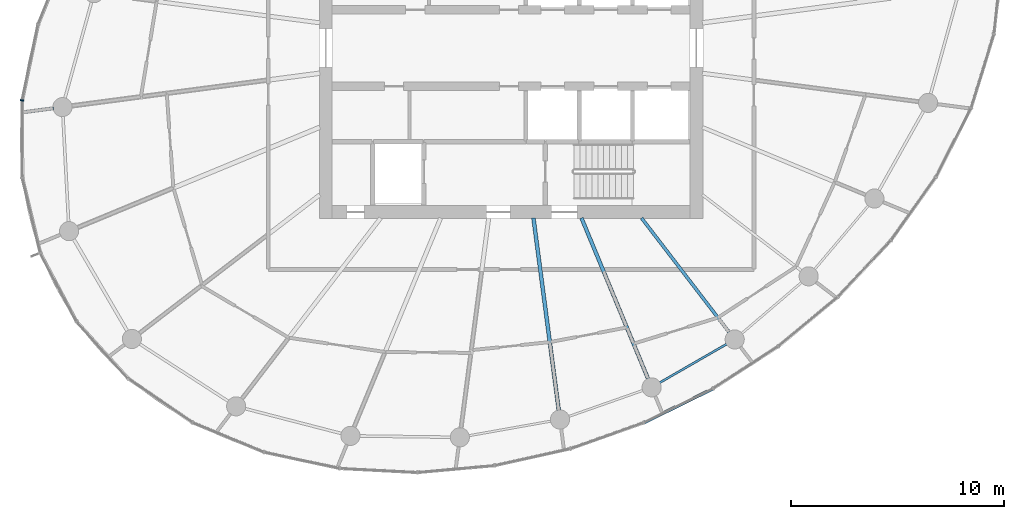
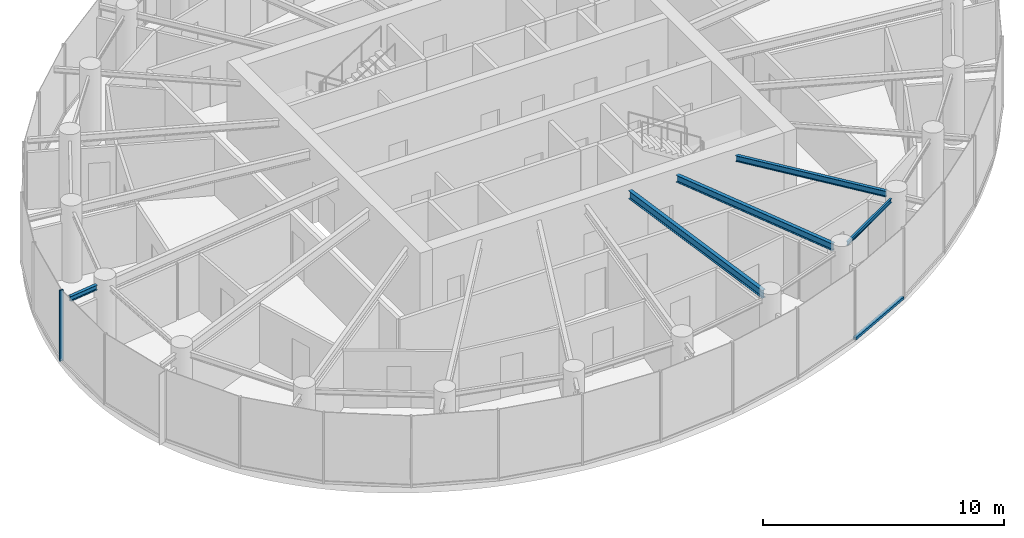
# One storey, part 3 of 13: 5 beams, 2 members, 2 elements without a shape of their own.
"""IFC4 building model written with IfcOpenShell, lengths in metres."""

from ifc_helpers import new_model, si_unit, direction, frame, origin, origin_2d, place, context, subcontext, project, spatial, rectangle, i_section, extrude, source, transform, mapped, material, layer, layer_set, material_profile, profile_set, type_object, element, aggregate, save


model = new_model("IFC4")

# Units and contexts
model_context = context("Model", 3, precision=1e-05, world=origin(), true_north=direction((0.0, 1.0)))
body_context = subcontext(model_context, "Body", "Model", "MODEL_VIEW")
ifc_project = project(units=[si_unit("LENGTHUNIT", "METRE"), si_unit("AREAUNIT", "SQUARE_METRE"), si_unit("VOLUMEUNIT", "CUBIC_METRE"), si_unit("PLANEANGLEUNIT", "RADIAN"), si_unit("MASSUNIT", "GRAM", prefix="KILO")], contexts=[model_context])

# Site, building, storey
site_placement = place(None, origin())
site = spatial("IfcSite", under=ifc_project, at=site_placement, CompositionType="ELEMENT")
building_placement = place(site_placement, origin())
building = spatial("IfcBuilding", under=site, at=building_placement, Name="Spindrift Exchange Tower", CompositionType="ELEMENT")
storey_placement = place(building_placement, frame((0.0, 0.0, 222.800048828125)))
storey = spatial("IfcBuildingStorey", under=building, at=storey_placement, Name="L54", CompositionType="ELEMENT", Elevation=222.800048828125)

# Beams
ifc_material_1 = material(Name="Steel Grade 300", Category="steel")
ifc_material_profile_1 = material_profile(ifc_material_1, i_section(OverallWidth=0.177978515625, OverallDepth=0.403076171875, WebThickness=0.007568359375, FlangeThickness=0.010986328125, FilletRadius=0.013916015625, at=origin_2d()), Name="410UB53.7")
ifc_profile_set_1 = profile_set([ifc_material_profile_1], Name="Steel Grade 300")
beam_type_1 = type_object("IfcBeamType", Name="Floor Beam 410UB53.7 Steel Grade 300", PredefinedType="BEAM", material=ifc_profile_set_1)
shared_shape_1 = source(origin(), body_context, "Body", "SweptSolid", [
    extrude(i_section(OverallWidth=0.177978515625, OverallDepth=0.403076171875, WebThickness=0.007568359375, FlangeThickness=0.010986328125, FilletRadius=0.013916015625, at=origin_2d()), origin(), (0.0, 0.0, 1.0), 9.11376953125),
])
beam_1_placement = place(storey_placement, frame((53.050537109375, 40.019775390625, 3.37841796875), z_axis=(0.130536972606, -0.991443442049, 0.0), x_axis=(0.991443442049, 0.130536972606, 0.0)))
element("IfcBeam", 1, at=beam_1_placement, inside=storey, type_object=beam_type_1, Name="L54 radial beam R19A", PredefinedType="BEAM", context=body_context, shape_type="MappedRepresentation", body=[
    mapped(shared_shape_1, transform((0.0, 0.0, 0.0), scale=1.0)),
])
ifc_material_profile_2 = material_profile(ifc_material_1, i_section(OverallWidth=0.1708984375, OverallDepth=0.35205078125, WebThickness=0.0068359375, FlangeThickness=0.009765625, FilletRadius=0.013916015625, at=origin_2d()), Name="360UB44.7")
ifc_profile_set_2 = profile_set([ifc_material_profile_2], Name="Steel Grade 300")
beam_type_2 = type_object("IfcBeamType", Name="Floor Beam 360UB44.7 Steel Grade 300", PredefinedType="BEAM", material=ifc_profile_set_2)
shared_shape_2 = source(origin(), body_context, "Body", "SweptSolid", [
    extrude(i_section(OverallWidth=0.1708984375, OverallDepth=0.35205078125, WebThickness=0.0068359375, FlangeThickness=0.009765625, FilletRadius=0.013916015625, at=origin_2d()), origin(), (0.0, 0.0, 1.0), 8.1748046875),
])
beam_2_placement = place(storey_placement, frame((55.30615234375, 40.0185546875, 3.404052734375), z_axis=(0.382655117626, -0.923891260352, 0.0), x_axis=(0.923891260352, 0.382655117626, 0.0)))
element("IfcBeam", 2, at=beam_2_placement, inside=storey, type_object=beam_type_2, Name="L54 radial beam R20A", PredefinedType="BEAM", context=body_context, shape_type="MappedRepresentation", body=[
    mapped(shared_shape_2, transform((0.0, 0.0, 0.0), scale=1.0)),
])
ifc_material_profile_3 = material_profile(ifc_material_1, i_section(OverallWidth=0.14892578125, OverallDepth=0.298095703125, WebThickness=0.005615234375, FlangeThickness=0.008056640625, FilletRadius=0.012939453125, at=origin_2d()), Name="310UB32.0")
ifc_profile_set_3 = profile_set([ifc_material_profile_3], Name="Steel Grade 300")
beam_type_3 = type_object("IfcBeamType", Name="Floor Beam 310UB32.0 Steel Grade 300", PredefinedType="BEAM", material=ifc_profile_set_3)
shared_shape_3 = source(origin(), body_context, "Body", "SweptSolid", [
    extrude(i_section(OverallWidth=0.14892578125, OverallDepth=0.298095703125, WebThickness=0.005615234375, FlangeThickness=0.008056640625, FilletRadius=0.012939453125, at=origin_2d()), origin(), (0.0, 0.0, 1.0), 6.753173828125),
])
beam_3_placement = place(storey_placement, frame((58.12646484375, 40.015869140625, 3.430908203125), z_axis=(0.608761639459, -0.793353178807, 0.0), x_axis=(0.793353178807, 0.608761639459, 0.0)))
element("IfcBeam", 3, at=beam_3_placement, inside=storey, type_object=beam_type_3, Name="L54 radial beam R21A", PredefinedType="BEAM", context=body_context, shape_type="MappedRepresentation", body=[
    mapped(shared_shape_3, transform((0.0, 0.0, 0.0), scale=1.0)),
])
ifc_material_profile_4 = material_profile(ifc_material_1, i_section(OverallWidth=0.09912109375, OverallDepth=0.197998046875, WebThickness=0.00439453125, FlangeThickness=0.007080078125, FilletRadius=0.010986328125, at=origin_2d()), Name="200UB18.2")
ifc_profile_set_4 = profile_set([ifc_material_profile_4], Name="Steel Grade 300")
beam_type_4 = type_object("IfcBeamType", Name="Edge Beam 200UB18.2 Steel Grade 300", PredefinedType="SPANDREL", material=ifc_profile_set_4)
shared_shape_4 = source(origin(), body_context, "Body", "SweptSolid", [
    extrude(i_section(OverallWidth=0.09912109375, OverallDepth=0.197998046875, WebThickness=0.00439453125, FlangeThickness=0.007080078125, FilletRadius=0.010986328125, at=origin_2d()), origin(), (0.0, 0.0, 1.0), 3.64208984375),
])
beam_4_placement = place(storey_placement, frame((58.971435546875, 32.283447265625, 3.48095703125), z_axis=(0.866364093123, 0.499412913476, 0.0), x_axis=(-0.499412913476, 0.866364093123, 0.0)))
element("IfcBeam", 4, at=beam_4_placement, inside=storey, type_object=beam_type_4, Name="L54 edge beam E20", PredefinedType="SPANDREL", context=body_context, shape_type="MappedRepresentation", body=[
    mapped(shared_shape_4, transform((0.0, 0.0, 0.0), scale=1.0)),
])
ifc_material_profile_5 = material_profile(ifc_material_1, i_section(OverallWidth=0.14599609375, OverallDepth=0.251953125, WebThickness=0.006103515625, FlangeThickness=0.008544921875, FilletRadius=0.011962890625, at=origin_2d()), Name="250UB31.4")
ifc_profile_set_5 = profile_set([ifc_material_profile_5], Name="Steel Grade 300")
beam_type_5 = type_object("IfcBeamType", Name="Cantilever Beam 250UB31.4 Steel Grade 300", PredefinedType="BEAM", material=ifc_profile_set_5)
shared_shape_5 = source(origin(), body_context, "Body", "SweptSolid", [
    extrude(i_section(OverallWidth=0.14599609375, OverallDepth=0.251953125, WebThickness=0.006103515625, FlangeThickness=0.008544921875, FilletRadius=0.011962890625, at=origin_2d()), origin(), (0.0, 0.0, 1.0), 1.40380859375),
])
beam_5_placement = place(storey_placement, frame((30.511474609375, 45.1708984375, 3.453857421875), z_axis=(-0.991457254943, -0.130432019156, 0.0), x_axis=(0.130432019156, -0.991457254943, 0.0)))
element("IfcBeam", 5, at=beam_5_placement, inside=storey, type_object=beam_type_5, Name="L54 cantilever beam R13T", PredefinedType="BEAM", context=body_context, shape_type="MappedRepresentation", body=[
    mapped(shared_shape_5, transform((0.0, 0.0, 0.0), scale=1.0)),
])

# Curtain wall, member
ifc_material_2 = material(Name="Fritted laminated glass with bronze frame", Category="glass")
ifc_layer = layer(ifc_material_2, 0.169921875)
ifc_layer_set = layer_set([ifc_layer], Name="ZONE 4 BRONZE FRITTED WALL")
curtain_wall_type = type_object("IfcCurtainWallType", Name="ZONE 4 BRONZE FRITTED WALL", PredefinedType="NOTDEFINED", material=ifc_layer_set)
curtain_wall_1_placement = place(storey_placement, origin())
curtain_wall_1 = element("IfcCurtainWall", 6, at=curtain_wall_1_placement, inside=storey, type_object=curtain_wall_type, Name="L54 Zone 4 Bronze Fritted Wall run 3", PredefinedType="NOTDEFINED")
ifc_material_3 = material(Name="Bronze anodised aluminium", Category="aluminium")
ifc_material_profile_6 = material_profile(ifc_material_3, rectangle(XDim=0.06494140625, YDim=0.169921875, at=origin_2d()), Name="ZONE 4 BRONZE FRITTED WALL MULLION 65X170")
ifc_profile_set_6 = profile_set([ifc_material_profile_6], Name="Bronze anodised aluminium")
member_type_1 = type_object("IfcMemberType", Name="ZONE 4 BRONZE FRITTED WALL MULLION 65X170", PredefinedType="MULLION", material=ifc_profile_set_6)
shared_shape_6 = source(origin(), body_context, "Body", "SweptSolid", [
    extrude(rectangle(XDim=0.06494140625, YDim=0.169921875, at=origin_2d()), origin(), (0.0, 0.0, 1.0), 3.579833984375),
])
member_1_placement = place(storey_placement, frame((29.0400390625, 45.542236328125, 0.0), z_axis=(0.0, 0.0, 1.0), x_axis=(-0.102195617594, -0.994764321709, 0.0)))
member_1 = element("IfcMember", 7, at=member_1_placement, type_object=member_type_1, Name="L54 mullion CW-4.17", PredefinedType="MULLION", context=body_context, shape_type="MappedRepresentation", body=[
    mapped(shared_shape_6, transform((0.0, 0.0, 0.0), scale=1.0)),
])
aggregate(curtain_wall_1, [member_1])

curtain_wall_2_placement = place(storey_placement, origin())
curtain_wall_2 = element("IfcCurtainWall", 8, at=curtain_wall_2_placement, inside=storey, type_object=curtain_wall_type, Name="L54 Zone 4 Bronze Fritted Wall run 5", PredefinedType="NOTDEFINED")
ifc_material_profile_7 = material_profile(ifc_material_3, rectangle(XDim=0.14990234375, YDim=0.125, at=origin_2d()), Name="ZONE 4 BRONZE FRITTED WALL TRANSOM 150X125")
ifc_profile_set_7 = profile_set([ifc_material_profile_7], Name="Bronze anodised aluminium")
member_type_2 = type_object("IfcMemberType", Name="ZONE 4 BRONZE FRITTED WALL TRANSOM 150X125", PredefinedType="USERDEFINED", material=ifc_profile_set_7)
shared_shape_7 = source(origin(), body_context, "Body", "SweptSolid", [
    extrude(rectangle(XDim=0.14990234375, YDim=0.125, at=origin_2d()), origin(), (0.0, 0.0, 1.0), 3.57763671875),
])
member_2_placement = place(storey_placement, frame((58.245849609375, 30.413330078125, 0.0625), z_axis=(0.897288377425, 0.441444863758, 0.0), x_axis=(-0.441444863758, 0.897288377425, 0.0)))
member_2 = element("IfcMember", 9, at=member_2_placement, type_object=member_type_2, Name="L54 transom CW-4.28", ObjectType="TRANSOM", PredefinedType="USERDEFINED", context=body_context, shape_type="MappedRepresentation", body=[
    mapped(shared_shape_7, transform((0.0, 0.0, 0.0), scale=1.0)),
])
aggregate(curtain_wall_2, [member_2])

save(model, "model.ifc")
